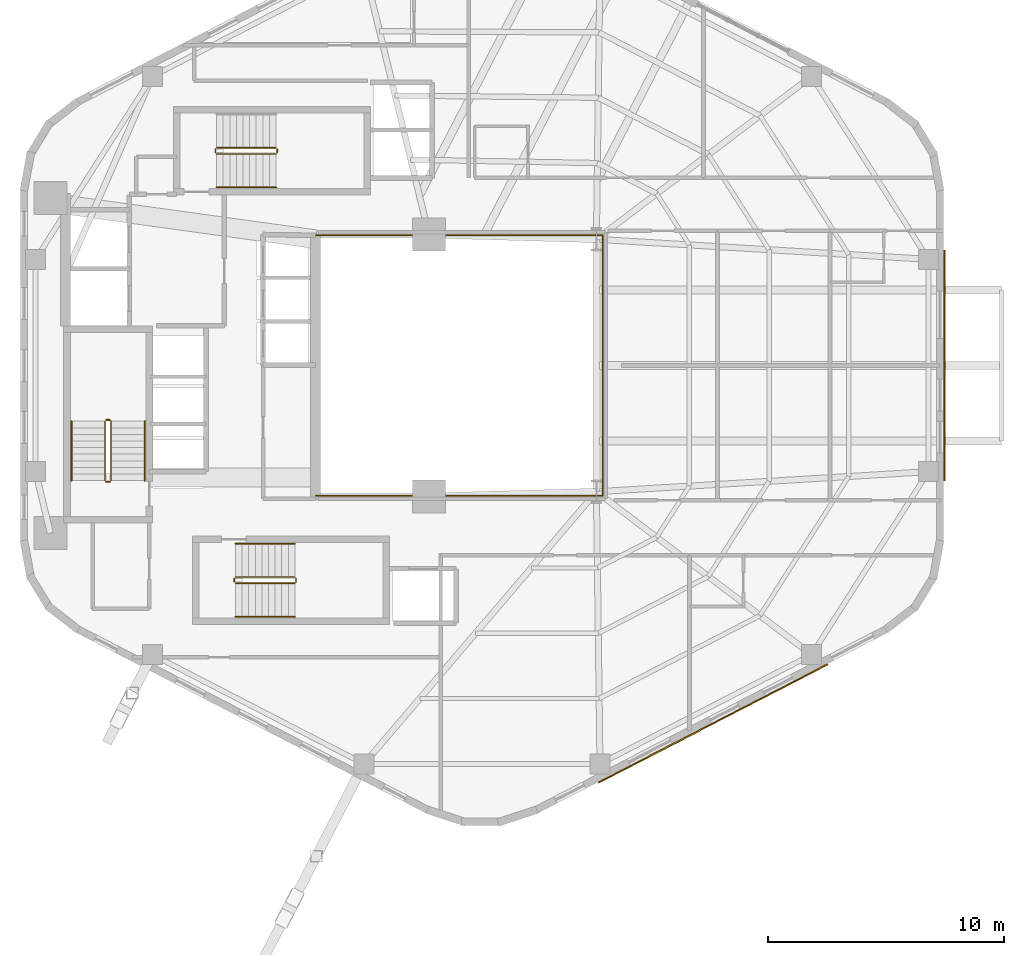
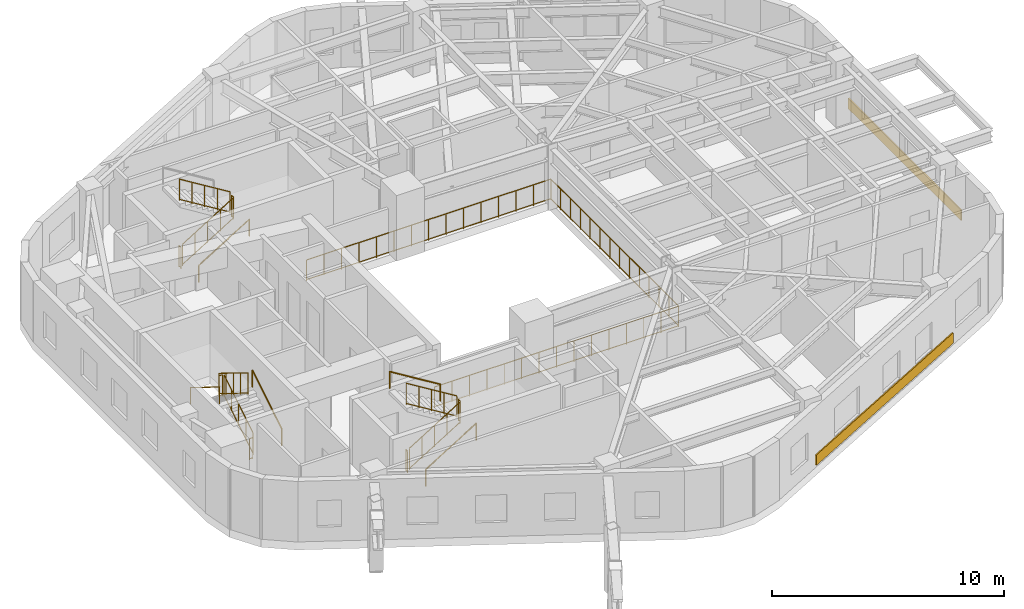
# One storey, part 11 of 12: 18 railings, 2 coverings.
"""IFC4 building model written with IfcOpenShell, lengths in metres."""

from ifc_helpers import new_model, si_unit, direction, frame, origin, origin_2d, place, context, subcontext, project, spatial, rectangle, circle, extrude, material, layer, layer_set, type_object, element, save


model = new_model("IFC4")

# Units and contexts
model_context = context("Model", 3, precision=1e-05, world=origin(), true_north=direction((0.0, 1.0)))
body_context = subcontext(model_context, "Body", "Model", "MODEL_VIEW")
ifc_project = project(units=[si_unit("LENGTHUNIT", "METRE"), si_unit("AREAUNIT", "SQUARE_METRE"), si_unit("VOLUMEUNIT", "CUBIC_METRE"), si_unit("PLANEANGLEUNIT", "RADIAN"), si_unit("MASSUNIT", "GRAM", prefix="KILO"), si_unit("THERMODYNAMICTEMPERATUREUNIT", "KELVIN"), si_unit("POWERUNIT", "WATT")], contexts=[model_context])

# Site, building, storey
site_placement = place(None, origin())
site = spatial("IfcSite", under=ifc_project, at=site_placement, CompositionType="ELEMENT")
building_placement = place(site_placement, origin())
building = spatial("IfcBuilding", under=site, at=building_placement, Name="Skarre Station Tower", CompositionType="ELEMENT")
storey_placement = place(building_placement, frame((0.0, 0.0, 163.64990234375)))
storey = spatial("IfcBuildingStorey", under=building, at=storey_placement, Name="L44", CompositionType="ELEMENT", Elevation=163.64990234375)

# Railings
ifc_material_1 = material(Name="Bronze Anodized Steel & Laminated Glass Balustrade", Category="steel")
railing_type_1 = type_object("IfcRailingType", Name="Atrium Void & Mezzanine Guard Balustrade 1120", PredefinedType="GUARDRAIL", material=ifc_material_1)
railing_1_placement = place(storey_placement, frame((27.550048828125, 18.47998046875, 0.0)))
element("IfcRailing", 1, at=railing_1_placement, inside=storey, type_object=railing_type_1, Name="L44 Atrium Void Guard Balustrade", PredefinedType="GUARDRAIL", context=body_context, shape_type="SweptSolid", body=[
    extrude(circle(Radius=0.02392578125, at=origin_2d()), frame((0.0, 0.0, 1.09619140625), z_axis=(1.0, 0.0, 0.0), x_axis=(0.0, 1.0, 0.0)), (0.0, 0.0, 1.0), 12.169921875),
    extrude(circle(Radius=0.02099609375, at=origin_2d()), frame((0.0, 0.0, 0.06005859375), z_axis=(1.0, 0.0, 0.0), x_axis=(0.0, 1.0, 0.0)), (0.0, 0.0, 1.0), 12.169921875),
    extrude(circle(Radius=0.02392578125, at=origin_2d()), frame((12.169921875, 0.0, 1.09619140625), z_axis=(0.0, 1.0, 0.0), x_axis=(-1.0, 0.0, 0.0)), (0.0, 0.0, 1.0), 11.0400390625),
    extrude(circle(Radius=0.02099609375, at=origin_2d()), frame((12.169921875, 0.0, 0.06005859375), z_axis=(0.0, 1.0, 0.0), x_axis=(-1.0, 0.0, 0.0)), (0.0, 0.0, 1.0), 11.0400390625),
    extrude(circle(Radius=0.02392578125, at=origin_2d()), frame((12.169921875, 11.0400390625, 1.09619140625), z_axis=(-1.0, 0.0, 0.0), x_axis=(0.0, -1.0, 0.0)), (0.0, 0.0, 1.0), 12.169921875),
    extrude(circle(Radius=0.02099609375, at=origin_2d()), frame((12.169921875, 11.0400390625, 0.06005859375), z_axis=(-1.0, 0.0, 0.0), x_axis=(0.0, -1.0, 0.0)), (0.0, 0.0, 1.0), 12.169921875),
    extrude(circle(Radius=0.02099609375, at=origin_2d()), origin(), (0.0, 0.0, 1.0), 1.072021484375),
    extrude(circle(Radius=0.02099609375, at=origin_2d()), frame((0.869384765625, 0.0, 0.0)), (0.0, 0.0, 1.0), 1.072021484375),
    extrude(circle(Radius=0.02099609375, at=origin_2d()), frame((1.738525390625, 0.0, 0.0)), (0.0, 0.0, 1.0), 1.072021484375),
    extrude(circle(Radius=0.02099609375, at=origin_2d()), frame((2.60791015625, 0.0, 0.0)), (0.0, 0.0, 1.0), 1.072021484375),
    extrude(circle(Radius=0.02099609375, at=origin_2d()), frame((3.47705078125, 0.0, 0.0)), (0.0, 0.0, 1.0), 1.072021484375),
    extrude(circle(Radius=0.02099609375, at=origin_2d()), frame((4.346435546875, 0.0, 0.0)), (0.0, 0.0, 1.0), 1.072021484375),
    extrude(circle(Radius=0.02099609375, at=origin_2d()), frame((5.215576171875, 0.0, 0.0)), (0.0, 0.0, 1.0), 1.072021484375),
    extrude(circle(Radius=0.02099609375, at=origin_2d()), frame((6.0849609375, 0.0, 0.0)), (0.0, 0.0, 1.0), 1.072021484375),
    extrude(circle(Radius=0.02099609375, at=origin_2d()), frame((6.954345703125, 0.0, 0.0)), (0.0, 0.0, 1.0), 1.072021484375),
    extrude(circle(Radius=0.02099609375, at=origin_2d()), frame((7.823486328125, 0.0, 0.0)), (0.0, 0.0, 1.0), 1.072021484375),
    extrude(circle(Radius=0.02099609375, at=origin_2d()), frame((8.69287109375, 0.0, 0.0)), (0.0, 0.0, 1.0), 1.072021484375),
    extrude(circle(Radius=0.02099609375, at=origin_2d()), frame((9.56201171875, 0.0, 0.0)), (0.0, 0.0, 1.0), 1.072021484375),
    extrude(circle(Radius=0.02099609375, at=origin_2d()), frame((10.431396484375, 0.0, 0.0)), (0.0, 0.0, 1.0), 1.072021484375),
    extrude(circle(Radius=0.02099609375, at=origin_2d()), frame((11.300537109375, 0.0, 0.0)), (0.0, 0.0, 1.0), 1.072021484375),
    extrude(circle(Radius=0.02099609375, at=origin_2d()), frame((12.169921875, 0.0, 0.0)), (0.0, 0.0, 1.0), 1.072021484375),
    extrude(circle(Radius=0.02099609375, at=origin_2d()), frame((12.169921875, 0.84912109375, 0.0)), (0.0, 0.0, 1.0), 1.072021484375),
    extrude(circle(Radius=0.02099609375, at=origin_2d()), frame((12.169921875, 1.698486328125, 0.0)), (0.0, 0.0, 1.0), 1.072021484375),
    extrude(circle(Radius=0.02099609375, at=origin_2d()), frame((12.169921875, 2.547607421875, 0.0)), (0.0, 0.0, 1.0), 1.072021484375),
    extrude(circle(Radius=0.02099609375, at=origin_2d()), frame((12.169921875, 3.39697265625, 0.0)), (0.0, 0.0, 1.0), 1.072021484375),
    extrude(circle(Radius=0.02099609375, at=origin_2d()), frame((12.169921875, 4.24609375, 0.0)), (0.0, 0.0, 1.0), 1.072021484375),
    extrude(circle(Radius=0.02099609375, at=origin_2d()), frame((12.169921875, 5.095458984375, 0.0)), (0.0, 0.0, 1.0), 1.072021484375),
    extrude(circle(Radius=0.02099609375, at=origin_2d()), frame((12.169921875, 5.944580078125, 0.0)), (0.0, 0.0, 1.0), 1.072021484375),
    extrude(circle(Radius=0.02099609375, at=origin_2d()), frame((12.169921875, 6.7939453125, 0.0)), (0.0, 0.0, 1.0), 1.072021484375),
    extrude(circle(Radius=0.02099609375, at=origin_2d()), frame((12.169921875, 7.64306640625, 0.0)), (0.0, 0.0, 1.0), 1.072021484375),
    extrude(circle(Radius=0.02099609375, at=origin_2d()), frame((12.169921875, 8.492431640625, 0.0)), (0.0, 0.0, 1.0), 1.072021484375),
    extrude(circle(Radius=0.02099609375, at=origin_2d()), frame((12.169921875, 9.341552734375, 0.0)), (0.0, 0.0, 1.0), 1.072021484375),
    extrude(circle(Radius=0.02099609375, at=origin_2d()), frame((12.169921875, 10.19091796875, 0.0)), (0.0, 0.0, 1.0), 1.072021484375),
    extrude(circle(Radius=0.02099609375, at=origin_2d()), frame((12.169921875, 11.0400390625, 0.0)), (0.0, 0.0, 1.0), 1.072021484375),
    extrude(circle(Radius=0.02099609375, at=origin_2d()), frame((11.300537109375, 11.0400390625, 0.0)), (0.0, 0.0, 1.0), 1.072021484375),
    extrude(circle(Radius=0.02099609375, at=origin_2d()), frame((10.431396484375, 11.0400390625, 0.0)), (0.0, 0.0, 1.0), 1.072021484375),
    extrude(circle(Radius=0.02099609375, at=origin_2d()), frame((9.56201171875, 11.0400390625, 0.0)), (0.0, 0.0, 1.0), 1.072021484375),
    extrude(circle(Radius=0.02099609375, at=origin_2d()), frame((8.69287109375, 11.0400390625, 0.0)), (0.0, 0.0, 1.0), 1.072021484375),
    extrude(circle(Radius=0.02099609375, at=origin_2d()), frame((7.823486328125, 11.0400390625, 0.0)), (0.0, 0.0, 1.0), 1.072021484375),
    extrude(circle(Radius=0.02099609375, at=origin_2d()), frame((6.954345703125, 11.0400390625, 0.0)), (0.0, 0.0, 1.0), 1.072021484375),
    extrude(circle(Radius=0.02099609375, at=origin_2d()), frame((6.0849609375, 11.0400390625, 0.0)), (0.0, 0.0, 1.0), 1.072021484375),
    extrude(circle(Radius=0.02099609375, at=origin_2d()), frame((5.215576171875, 11.0400390625, 0.0)), (0.0, 0.0, 1.0), 1.072021484375),
    extrude(circle(Radius=0.02099609375, at=origin_2d()), frame((4.346435546875, 11.0400390625, 0.0)), (0.0, 0.0, 1.0), 1.072021484375),
    extrude(circle(Radius=0.02099609375, at=origin_2d()), frame((3.47705078125, 11.0400390625, 0.0)), (0.0, 0.0, 1.0), 1.072021484375),
    extrude(circle(Radius=0.02099609375, at=origin_2d()), frame((2.60791015625, 11.0400390625, 0.0)), (0.0, 0.0, 1.0), 1.072021484375),
    extrude(circle(Radius=0.02099609375, at=origin_2d()), frame((1.738525390625, 11.0400390625, 0.0)), (0.0, 0.0, 1.0), 1.072021484375),
    extrude(circle(Radius=0.02099609375, at=origin_2d()), frame((0.869384765625, 11.0400390625, 0.0)), (0.0, 0.0, 1.0), 1.072021484375),
    extrude(circle(Radius=0.02099609375, at=origin_2d()), frame((0.0, 11.0400390625, 0.0)), (0.0, 0.0, 1.0), 1.072021484375),
])
ifc_material_2 = material(Name="Powder-Coated Tubular Steel", Category="steel")
railing_type_2 = type_object("IfcRailingType", Name="Painted Steel Ramp & Stair Handrail 920", PredefinedType="HANDRAIL", material=ifc_material_2)
railing_2_placement = place(storey_placement, frame((20.300048828125, 19.1201171875, 0.172607421875)))
element("IfcRailing", 2, at=railing_2_placement, inside=storey, type_object=railing_type_2, Name="L44 ST-1 stair handrail 1", PredefinedType="HANDRAIL", context=body_context, shape_type="SweptSolid", body=[
    extrude(circle(Radius=0.02392578125, at=origin_2d()), frame((0.0, 0.0, 0.8759765625), z_axis=(0.0, 0.851377800117, 0.52455299205), x_axis=(-1.0, 0.0, 0.0)), (0.0, 0.0, 1.0), 2.959716796875),
    extrude(circle(Radius=0.02099609375, at=origin_2d()), origin(), (0.0, 0.0, 1.0), 0.851806640625),
    extrude(circle(Radius=0.02099609375, at=origin_2d()), frame((0.0, 2.519775390625, 1.552490234375)), (0.0, 0.0, 1.0), 0.851806640625),
])
railing_3_placement = place(storey_placement, frame((17.199951171875, 21.639892578125, 1.897705078125)))
element("IfcRailing", 3, at=railing_3_placement, inside=storey, type_object=railing_type_2, Name="L44 ST-1 stair handrail 2", PredefinedType="HANDRAIL", context=body_context, shape_type="SweptSolid", body=[
    extrude(circle(Radius=0.02392578125, at=origin_2d()), frame((0.0, 0.0, 0.8759765625), z_axis=(0.0, -0.851377800117, 0.52455299205), x_axis=(1.0, 0.0, 0.0)), (0.0, 0.0, 1.0), 2.959716796875),
    extrude(circle(Radius=0.02099609375, at=origin_2d()), origin(), (0.0, 0.0, 1.0), 0.851806640625),
    extrude(circle(Radius=0.02099609375, at=origin_2d()), frame((0.0, -2.519775390625, 1.552490234375)), (0.0, 0.0, 1.0), 0.851806640625),
])
railing_4_placement = place(storey_placement, frame((24.14990234375, 13.35009765625, 0.172607421875)))
element("IfcRailing", 4, at=railing_4_placement, inside=storey, type_object=railing_type_2, Name="L44 ST-2 stair handrail 1", PredefinedType="HANDRAIL", context=body_context, shape_type="SweptSolid", body=[
    extrude(circle(Radius=0.02392578125, at=origin_2d()), frame((0.0, 0.0, 0.8759765625), z_axis=(0.851400495292, 0.0, 0.524516154772), x_axis=(0.0, 1.0, 0.0)), (0.0, 0.0, 1.0), 2.9599609375),
    extrude(circle(Radius=0.02099609375, at=origin_2d()), origin(), (0.0, 0.0, 1.0), 0.851806640625),
    extrude(circle(Radius=0.02099609375, at=origin_2d()), frame((2.52001953125, 0.0, 1.552490234375)), (0.0, 0.0, 1.0), 0.851806640625),
])
railing_5_placement = place(storey_placement, frame((26.669921875, 16.449951171875, 1.897705078125)))
element("IfcRailing", 5, at=railing_5_placement, inside=storey, type_object=railing_type_2, Name="L44 ST-2 stair handrail 2", PredefinedType="HANDRAIL", context=body_context, shape_type="SweptSolid", body=[
    extrude(circle(Radius=0.02392578125, at=origin_2d()), frame((0.0, 0.0, 0.8759765625), z_axis=(-0.851400495292, 0.0, 0.524516154772), x_axis=(0.0, -1.0, 0.0)), (0.0, 0.0, 1.0), 2.9599609375),
    extrude(circle(Radius=0.02099609375, at=origin_2d()), origin(), (0.0, 0.0, 1.0), 0.851806640625),
    extrude(circle(Radius=0.02099609375, at=origin_2d()), frame((-2.52001953125, 0.0, 1.552490234375)), (0.0, 0.0, 1.0), 0.851806640625),
])
railing_6_placement = place(storey_placement, frame((23.35009765625, 31.550048828125, 0.172607421875)))
element("IfcRailing", 6, at=railing_6_placement, inside=storey, type_object=railing_type_2, Name="L44 ST-3 stair handrail 1", PredefinedType="HANDRAIL", context=body_context, shape_type="SweptSolid", body=[
    extrude(circle(Radius=0.02392578125, at=origin_2d()), frame((0.0, 0.0, 0.8759765625), z_axis=(0.851400495292, 0.0, 0.524516154772), x_axis=(0.0, 1.0, 0.0)), (0.0, 0.0, 1.0), 2.9599609375),
    extrude(circle(Radius=0.02099609375, at=origin_2d()), origin(), (0.0, 0.0, 1.0), 0.851806640625),
    extrude(circle(Radius=0.02099609375, at=origin_2d()), frame((2.52001953125, 0.0, 1.552490234375)), (0.0, 0.0, 1.0), 0.851806640625),
])
railing_type_3 = type_object("IfcRailingType", Name="Painted Steel Stairwell Guardrail 1100", PredefinedType="GUARDRAIL", material=ifc_material_2)
railing_7_placement = place(storey_placement, frame((18.8798828125, 19.1201171875, 0.172607421875)))
element("IfcRailing", 7, at=railing_7_placement, inside=storey, type_object=railing_type_3, Name="L44 ST-1 stair guard 1", PredefinedType="GUARDRAIL", context=body_context, shape_type="SweptSolid", body=[
    extrude(circle(Radius=0.02392578125, at=origin_2d()), frame((0.0, 0.0, 1.1259765625), z_axis=(0.0, 0.851377800117, 0.52455299205), x_axis=(-1.0, 0.0, 0.0)), (0.0, 0.0, 1.0), 2.959716796875),
    extrude(circle(Radius=0.02099609375, at=origin_2d()), frame((0.0, 0.0, 0.06005859375), z_axis=(0.0, 0.851377800117, 0.52455299205), x_axis=(-1.0, 0.0, 0.0)), (0.0, 0.0, 1.0), 2.959716796875),
    extrude(circle(Radius=0.02099609375, at=origin_2d()), origin(), (0.0, 0.0, 1.0), 1.101806640625),
    extrude(circle(Radius=0.02099609375, at=origin_2d()), frame((0.0, 0.6298828125, 0.38818359375)), (0.0, 0.0, 1.0), 1.101806640625),
    extrude(circle(Radius=0.02099609375, at=origin_2d()), frame((0.0, 1.259765625, 0.7763671875)), (0.0, 0.0, 1.0), 1.101806640625),
    extrude(circle(Radius=0.02099609375, at=origin_2d()), frame((0.0, 1.889892578125, 1.164306640625)), (0.0, 0.0, 1.0), 1.101806640625),
    extrude(circle(Radius=0.02099609375, at=origin_2d()), frame((0.0, 2.519775390625, 1.552490234375)), (0.0, 0.0, 1.0), 1.101806640625),
])
railing_8_placement = place(storey_placement, frame((18.830078125, 21.68994140625, 1.72509765625)))
element("IfcRailing", 8, at=railing_8_placement, inside=storey, type_object=railing_type_3, Name="L44 ST-1 stair guard 2", PredefinedType="GUARDRAIL", context=body_context, shape_type="SweptSolid", body=[
    extrude(circle(Radius=0.02392578125, at=origin_2d()), frame((0.0, 0.0, 1.1259765625), z_axis=(-1.0, 0.0, 0.0), x_axis=(0.0, -1.0, 0.0)), (0.0, 0.0, 1.0), 0.16015625),
    extrude(circle(Radius=0.02099609375, at=origin_2d()), frame((0.0, 0.0, 0.06005859375), z_axis=(-1.0, 0.0, 0.0), x_axis=(0.0, -1.0, 0.0)), (0.0, 0.0, 1.0), 0.16015625),
    extrude(circle(Radius=0.02099609375, at=origin_2d()), origin(), (0.0, 0.0, 1.0), 1.101806640625),
    extrude(circle(Radius=0.02099609375, at=origin_2d()), frame((-0.16015625, 0.0, 0.0)), (0.0, 0.0, 1.0), 1.101806640625),
])
railing_9_placement = place(storey_placement, frame((18.6201171875, 21.639892578125, 1.897705078125)))
element("IfcRailing", 9, at=railing_9_placement, inside=storey, type_object=railing_type_3, Name="L44 ST-1 stair guard 3", PredefinedType="GUARDRAIL", context=body_context, shape_type="SweptSolid", body=[
    extrude(circle(Radius=0.02392578125, at=origin_2d()), frame((0.0, 0.0, 1.1259765625), z_axis=(0.0, -0.851377800117, 0.52455299205), x_axis=(1.0, 0.0, 0.0)), (0.0, 0.0, 1.0), 2.959716796875),
    extrude(circle(Radius=0.02099609375, at=origin_2d()), frame((0.0, 0.0, 0.06005859375), z_axis=(0.0, -0.851377800117, 0.52455299205), x_axis=(1.0, 0.0, 0.0)), (0.0, 0.0, 1.0), 2.959716796875),
    extrude(circle(Radius=0.02099609375, at=origin_2d()), origin(), (0.0, 0.0, 1.0), 1.101806640625),
    extrude(circle(Radius=0.02099609375, at=origin_2d()), frame((0.0, -0.6298828125, 0.38818359375)), (0.0, 0.0, 1.0), 1.101806640625),
    extrude(circle(Radius=0.02099609375, at=origin_2d()), frame((0.0, -1.259765625, 0.7763671875)), (0.0, 0.0, 1.0), 1.101806640625),
    extrude(circle(Radius=0.02099609375, at=origin_2d()), frame((0.0, -1.889892578125, 1.164306640625)), (0.0, 0.0, 1.0), 1.101806640625),
    extrude(circle(Radius=0.02099609375, at=origin_2d()), frame((0.0, -2.519775390625, 1.552490234375)), (0.0, 0.0, 1.0), 1.101806640625),
])
railing_10_placement = place(storey_placement, frame((18.830078125, 19.070068359375, 0.0)))
element("IfcRailing", 10, at=railing_10_placement, inside=storey, type_object=railing_type_3, Name="L44 ST-1 stair guard 4", PredefinedType="GUARDRAIL", context=body_context, shape_type="SweptSolid", body=[
    extrude(circle(Radius=0.02392578125, at=origin_2d()), frame((0.0, 0.0, 1.1259765625), z_axis=(-1.0, 0.0, 0.0), x_axis=(0.0, -1.0, 0.0)), (0.0, 0.0, 1.0), 0.16015625),
    extrude(circle(Radius=0.02099609375, at=origin_2d()), frame((0.0, 0.0, 0.06005859375), z_axis=(-1.0, 0.0, 0.0), x_axis=(0.0, -1.0, 0.0)), (0.0, 0.0, 1.0), 0.16015625),
    extrude(circle(Radius=0.02099609375, at=origin_2d()), origin(), (0.0, 0.0, 1.0), 1.101806640625),
    extrude(circle(Radius=0.02099609375, at=origin_2d()), frame((-0.16015625, 0.0, 0.0)), (0.0, 0.0, 1.0), 1.101806640625),
])
railing_11_placement = place(storey_placement, frame((24.14990234375, 14.77001953125, 0.172607421875)))
element("IfcRailing", 11, at=railing_11_placement, inside=storey, type_object=railing_type_3, Name="L44 ST-2 stair guard 1", PredefinedType="GUARDRAIL", context=body_context, shape_type="SweptSolid", body=[
    extrude(circle(Radius=0.02392578125, at=origin_2d()), frame((0.0, 0.0, 1.1259765625), z_axis=(0.851400495292, 0.0, 0.524516154772), x_axis=(0.0, 1.0, 0.0)), (0.0, 0.0, 1.0), 2.9599609375),
    extrude(circle(Radius=0.02099609375, at=origin_2d()), frame((0.0, 0.0, 0.06005859375), z_axis=(0.851400495292, 0.0, 0.524516154772), x_axis=(0.0, 1.0, 0.0)), (0.0, 0.0, 1.0), 2.9599609375),
    extrude(circle(Radius=0.02099609375, at=origin_2d()), origin(), (0.0, 0.0, 1.0), 1.101806640625),
    extrude(circle(Radius=0.02099609375, at=origin_2d()), frame((0.6298828125, 0.0, 0.38818359375)), (0.0, 0.0, 1.0), 1.101806640625),
    extrude(circle(Radius=0.02099609375, at=origin_2d()), frame((1.260009765625, 0.0, 0.7763671875)), (0.0, 0.0, 1.0), 1.101806640625),
    extrude(circle(Radius=0.02099609375, at=origin_2d()), frame((1.89013671875, 0.0, 1.164306640625)), (0.0, 0.0, 1.0), 1.101806640625),
    extrude(circle(Radius=0.02099609375, at=origin_2d()), frame((2.52001953125, 0.0, 1.552490234375)), (0.0, 0.0, 1.0), 1.101806640625),
])
railing_12_placement = place(storey_placement, frame((26.719970703125, 14.820068359375, 1.72509765625)))
element("IfcRailing", 12, at=railing_12_placement, inside=storey, type_object=railing_type_3, Name="L44 ST-2 stair guard 2", PredefinedType="GUARDRAIL", context=body_context, shape_type="SweptSolid", body=[
    extrude(circle(Radius=0.02392578125, at=origin_2d()), frame((0.0, 0.0, 1.1259765625), z_axis=(0.0, 1.0, 0.0), x_axis=(-1.0, 0.0, 0.0)), (0.0, 0.0, 1.0), 0.159912109375),
    extrude(circle(Radius=0.02099609375, at=origin_2d()), frame((0.0, 0.0, 0.06005859375), z_axis=(0.0, 1.0, 0.0), x_axis=(-1.0, 0.0, 0.0)), (0.0, 0.0, 1.0), 0.159912109375),
    extrude(circle(Radius=0.02099609375, at=origin_2d()), origin(), (0.0, 0.0, 1.0), 1.101806640625),
    extrude(circle(Radius=0.02099609375, at=origin_2d()), frame((0.0, 0.159912109375, 0.0)), (0.0, 0.0, 1.0), 1.101806640625),
])
railing_13_placement = place(storey_placement, frame((26.669921875, 15.030029296875, 1.897705078125)))
element("IfcRailing", 13, at=railing_13_placement, inside=storey, type_object=railing_type_3, Name="L44 ST-2 stair guard 3", PredefinedType="GUARDRAIL", context=body_context, shape_type="SweptSolid", body=[
    extrude(circle(Radius=0.02392578125, at=origin_2d()), frame((0.0, 0.0, 1.1259765625), z_axis=(-0.851400495292, 0.0, 0.524516154772), x_axis=(0.0, -1.0, 0.0)), (0.0, 0.0, 1.0), 2.9599609375),
    extrude(circle(Radius=0.02099609375, at=origin_2d()), frame((0.0, 0.0, 0.06005859375), z_axis=(-0.851400495292, 0.0, 0.524516154772), x_axis=(0.0, -1.0, 0.0)), (0.0, 0.0, 1.0), 2.9599609375),
    extrude(circle(Radius=0.02099609375, at=origin_2d()), origin(), (0.0, 0.0, 1.0), 1.101806640625),
    extrude(circle(Radius=0.02099609375, at=origin_2d()), frame((-0.6298828125, 0.0, 0.38818359375)), (0.0, 0.0, 1.0), 1.101806640625),
    extrude(circle(Radius=0.02099609375, at=origin_2d()), frame((-1.260009765625, 0.0, 0.7763671875)), (0.0, 0.0, 1.0), 1.101806640625),
    extrude(circle(Radius=0.02099609375, at=origin_2d()), frame((-1.89013671875, 0.0, 1.164306640625)), (0.0, 0.0, 1.0), 1.101806640625),
    extrude(circle(Radius=0.02099609375, at=origin_2d()), frame((-2.52001953125, 0.0, 1.552490234375)), (0.0, 0.0, 1.0), 1.101806640625),
])
railing_14_placement = place(storey_placement, frame((24.10009765625, 14.820068359375, 0.0)))
element("IfcRailing", 14, at=railing_14_placement, inside=storey, type_object=railing_type_3, Name="L44 ST-2 stair guard 4", PredefinedType="GUARDRAIL", context=body_context, shape_type="SweptSolid", body=[
    extrude(circle(Radius=0.02392578125, at=origin_2d()), frame((0.0, 0.0, 1.1259765625), z_axis=(0.0, 1.0, 0.0), x_axis=(-1.0, 0.0, 0.0)), (0.0, 0.0, 1.0), 0.159912109375),
    extrude(circle(Radius=0.02099609375, at=origin_2d()), frame((0.0, 0.0, 0.06005859375), z_axis=(0.0, 1.0, 0.0), x_axis=(-1.0, 0.0, 0.0)), (0.0, 0.0, 1.0), 0.159912109375),
    extrude(circle(Radius=0.02099609375, at=origin_2d()), origin(), (0.0, 0.0, 1.0), 1.101806640625),
    extrude(circle(Radius=0.02099609375, at=origin_2d()), frame((0.0, 0.159912109375, 0.0)), (0.0, 0.0, 1.0), 1.101806640625),
])
railing_15_placement = place(storey_placement, frame((23.35009765625, 32.969970703125, 0.172607421875)))
element("IfcRailing", 15, at=railing_15_placement, inside=storey, type_object=railing_type_3, Name="L44 ST-3 stair guard 1", PredefinedType="GUARDRAIL", context=body_context, shape_type="SweptSolid", body=[
    extrude(circle(Radius=0.02392578125, at=origin_2d()), frame((0.0, 0.0, 1.1259765625), z_axis=(0.851400495292, 0.0, 0.524516154772), x_axis=(0.0, 1.0, 0.0)), (0.0, 0.0, 1.0), 2.9599609375),
    extrude(circle(Radius=0.02099609375, at=origin_2d()), frame((0.0, 0.0, 0.06005859375), z_axis=(0.851400495292, 0.0, 0.524516154772), x_axis=(0.0, 1.0, 0.0)), (0.0, 0.0, 1.0), 2.9599609375),
    extrude(circle(Radius=0.02099609375, at=origin_2d()), origin(), (0.0, 0.0, 1.0), 1.101806640625),
    extrude(circle(Radius=0.02099609375, at=origin_2d()), frame((0.6298828125, 0.0, 0.38818359375)), (0.0, 0.0, 1.0), 1.101806640625),
    extrude(circle(Radius=0.02099609375, at=origin_2d()), frame((1.260009765625, 0.0, 0.7763671875)), (0.0, 0.0, 1.0), 1.101806640625),
    extrude(circle(Radius=0.02099609375, at=origin_2d()), frame((1.89013671875, 0.0, 1.164306640625)), (0.0, 0.0, 1.0), 1.101806640625),
    extrude(circle(Radius=0.02099609375, at=origin_2d()), frame((2.52001953125, 0.0, 1.552490234375)), (0.0, 0.0, 1.0), 1.101806640625),
])
railing_16_placement = place(storey_placement, frame((25.919921875, 33.02001953125, 1.72509765625)))
element("IfcRailing", 16, at=railing_16_placement, inside=storey, type_object=railing_type_3, Name="L44 ST-3 stair guard 2", PredefinedType="GUARDRAIL", context=body_context, shape_type="SweptSolid", body=[
    extrude(circle(Radius=0.02392578125, at=origin_2d()), frame((0.0, 0.0, 1.1259765625), z_axis=(0.0, 1.0, 0.0), x_axis=(-1.0, 0.0, 0.0)), (0.0, 0.0, 1.0), 0.159912109375),
    extrude(circle(Radius=0.02099609375, at=origin_2d()), frame((0.0, 0.0, 0.06005859375), z_axis=(0.0, 1.0, 0.0), x_axis=(-1.0, 0.0, 0.0)), (0.0, 0.0, 1.0), 0.159912109375),
    extrude(circle(Radius=0.02099609375, at=origin_2d()), origin(), (0.0, 0.0, 1.0), 1.101806640625),
    extrude(circle(Radius=0.02099609375, at=origin_2d()), frame((0.0, 0.159912109375, 0.0)), (0.0, 0.0, 1.0), 1.101806640625),
])
railing_17_placement = place(storey_placement, frame((25.8701171875, 33.22998046875, 1.897705078125)))
element("IfcRailing", 17, at=railing_17_placement, inside=storey, type_object=railing_type_3, Name="L44 ST-3 stair guard 3", PredefinedType="GUARDRAIL", context=body_context, shape_type="SweptSolid", body=[
    extrude(circle(Radius=0.02392578125, at=origin_2d()), frame((0.0, 0.0, 1.1259765625), z_axis=(-0.851400495292, 0.0, 0.524516154772), x_axis=(0.0, -1.0, 0.0)), (0.0, 0.0, 1.0), 2.9599609375),
    extrude(circle(Radius=0.02099609375, at=origin_2d()), frame((0.0, 0.0, 0.06005859375), z_axis=(-0.851400495292, 0.0, 0.524516154772), x_axis=(0.0, -1.0, 0.0)), (0.0, 0.0, 1.0), 2.9599609375),
    extrude(circle(Radius=0.02099609375, at=origin_2d()), origin(), (0.0, 0.0, 1.0), 1.101806640625),
    extrude(circle(Radius=0.02099609375, at=origin_2d()), frame((-0.6298828125, 0.0, 0.38818359375)), (0.0, 0.0, 1.0), 1.101806640625),
    extrude(circle(Radius=0.02099609375, at=origin_2d()), frame((-1.260009765625, 0.0, 0.7763671875)), (0.0, 0.0, 1.0), 1.101806640625),
    extrude(circle(Radius=0.02099609375, at=origin_2d()), frame((-1.89013671875, 0.0, 1.164306640625)), (0.0, 0.0, 1.0), 1.101806640625),
    extrude(circle(Radius=0.02099609375, at=origin_2d()), frame((-2.52001953125, 0.0, 1.552490234375)), (0.0, 0.0, 1.0), 1.101806640625),
])
railing_18_placement = place(storey_placement, frame((23.300048828125, 33.02001953125, 0.0)))
element("IfcRailing", 18, at=railing_18_placement, inside=storey, type_object=railing_type_3, Name="L44 ST-3 stair guard 4", PredefinedType="GUARDRAIL", context=body_context, shape_type="SweptSolid", body=[
    extrude(circle(Radius=0.02392578125, at=origin_2d()), frame((0.0, 0.0, 1.1259765625), z_axis=(0.0, 1.0, 0.0), x_axis=(-1.0, 0.0, 0.0)), (0.0, 0.0, 1.0), 0.159912109375),
    extrude(circle(Radius=0.02099609375, at=origin_2d()), frame((0.0, 0.0, 0.06005859375), z_axis=(0.0, 1.0, 0.0), x_axis=(-1.0, 0.0, 0.0)), (0.0, 0.0, 1.0), 0.159912109375),
    extrude(circle(Radius=0.02099609375, at=origin_2d()), origin(), (0.0, 0.0, 1.0), 1.101806640625),
    extrude(circle(Radius=0.02099609375, at=origin_2d()), frame((0.0, 0.159912109375, 0.0)), (0.0, 0.0, 1.0), 1.101806640625),
])

# Coverings
ifc_material_3 = material(Name="Honed Pale Nordic Granite Cladding", Category="masonry")
ifc_layer = layer(ifc_material_3, 0.06005859375, Name="Honed Pale Nordic Granite Cladding")
ifc_layer_set = layer_set([ifc_layer], Name="Honed Pale Nordic Granite Cladding")
covering_type = type_object("IfcCoveringType", Name="Precast Pier Spandrel Reveal Cladding 60", PredefinedType="CLADDING", material=ifc_layer_set)
covering_1_placement = place(storey_placement, frame((44.39794921875, 8.827880859375, 0.14501953125), z_axis=(0.0, 0.0, 1.0), x_axis=(0.888625237464, 0.458634045118, 0.0)))
element("IfcCovering", 19, at=covering_1_placement, inside=storey, type_object=covering_type, Name="L44 Facet 4 Granite Spandrel Cladding", PredefinedType="CLADDING", context=body_context, shape_type="SweptSolid", body=[
    extrude(rectangle(XDim=10.93798828125, YDim=0.06005859375, at=origin_2d()), origin(), (0.0, 0.0, 1.0), 0.550048828125),
])
covering_2_placement = place(storey_placement, frame((54.197021484375, 24.0, 0.14501953125), z_axis=(0.0, 0.0, 1.0), x_axis=(0.0, 1.0, 0.0)))
element("IfcCovering", 20, at=covering_2_placement, inside=storey, type_object=covering_type, Name="L44 Facet 5 Granite Spandrel Cladding", PredefinedType="CLADDING", context=body_context, shape_type="SweptSolid", body=[
    extrude(rectangle(XDim=9.7529296875, YDim=0.06005859375, at=origin_2d()), origin(), (0.0, 0.0, 1.0), 0.550048828125),
])

save(model, "model.ifc")
